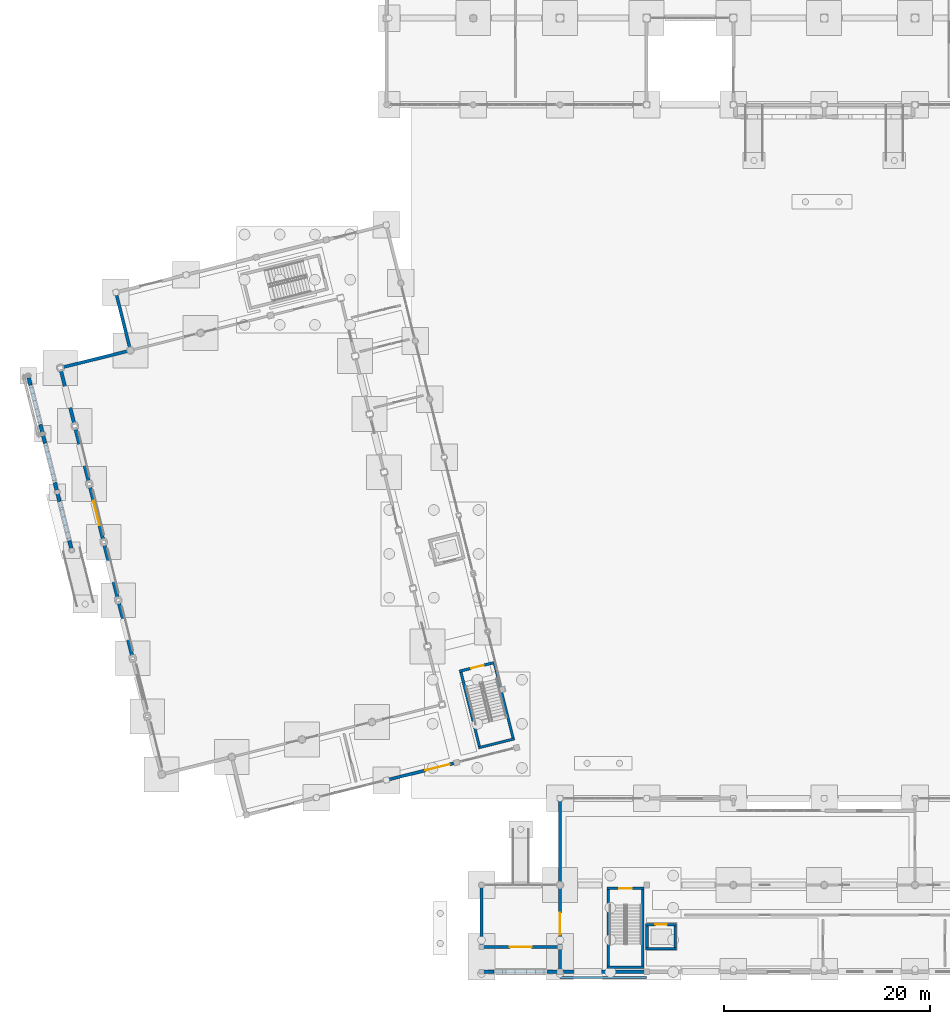
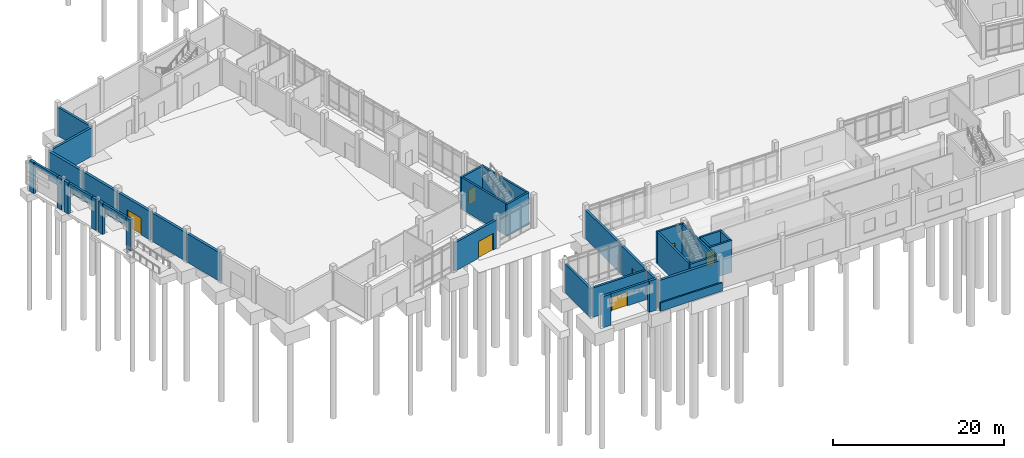
# One storey, part 42 of 72: 38 walls, 7 doors, 7 openings.
"""IFC4 building model written with IfcOpenShell, lengths in metres."""

from ifc_helpers import new_model, si_unit, direction, frame, frame_2d, origin, place, context, subcontext, project, spatial, rectangle, extrude, material, layer, layer_set, type_object, element, fill, save


model = new_model("IFC4")

# Units and contexts
model_context = context("Model", 3, precision=1e-05, world=origin(), true_north=direction((0.0, 1.0)))
body_context = subcontext(model_context, "Body", "Model", "MODEL_VIEW")
ifc_project = project(units=[si_unit("LENGTHUNIT", "METRE"), si_unit("AREAUNIT", "SQUARE_METRE"), si_unit("VOLUMEUNIT", "CUBIC_METRE"), si_unit("PLANEANGLEUNIT", "RADIAN"), si_unit("MASSUNIT", "GRAM", prefix="KILO")], contexts=[model_context])

# Site, building, storey
site_placement = place(None, origin())
site = spatial("IfcSite", under=ifc_project, at=site_placement, CompositionType="ELEMENT")
building_placement = place(site_placement, origin())
building = spatial("IfcBuilding", under=site, at=building_placement, Name="Cinderway Yard Community Centre", CompositionType="ELEMENT")
storey_placement = place(building_placement, origin())
storey = spatial("IfcBuildingStorey", under=building, at=storey_placement, Name="L00", CompositionType="ELEMENT", Elevation=0.0)

# Walls
ifc_material_1 = material(Name="Brick Masonry", Category="masonry")
ifc_layer_1 = layer(ifc_material_1, 0.360107421875, Name="Brick Masonry")
ifc_layer_set_1 = layer_set([ifc_layer_1], Name="Brick Masonry")
wall_type_1 = type_object("IfcWallType", Name="ENV-WAL-ARCH360", PredefinedType="SOLIDWALL", material=ifc_layer_set_1)
wall_1_placement = place(storey_placement, frame((50.97998046875, 6.0, 0.0), z_axis=(0.0, 0.0, 1.0), x_axis=(1.0, 0.0, 0.0)))
element("IfcWall", 1, at=wall_1_placement, inside=storey, type_object=wall_type_1, Name="West Storm Arcade Niche Pier 1A ENV-WAL-L00-0197", PredefinedType="SOLIDWALL", context=body_context, shape_type="SweptSolid", body=[
    extrude(rectangle(XDim=1.0361328125, YDim=0.360107421875, at=frame_2d((0.51806640625, 0.0))), origin(), (0.0, 0.0, 1.0), 4.449951171875),
])
wall_2_placement = place(storey_placement, frame((57.18408203125, 6.0, 0.0), z_axis=(0.0, 0.0, 1.0), x_axis=(1.0, 0.0, 0.0)))
element("IfcWall", 2, at=wall_2_placement, inside=storey, type_object=wall_type_1, Name="West Storm Arcade Niche Pier 1B ENV-WAL-L00-0198", PredefinedType="SOLIDWALL", context=body_context, shape_type="SweptSolid", body=[
    extrude(rectangle(XDim=1.035888671875, YDim=0.360107421875, at=frame_2d((0.51806640625, 0.0))), origin(), (0.0, 0.0, 1.0), 4.449951171875),
])
for number, where, z_axis, x_axis, name in (
    (3, (11.048095703125, 47.029052734375, 0.0), (0.0, 0.0, 1.0), (-0.241227936286, 0.970468486225, 0.0), "Main Hall Rail Forecourt South Arch Niche Pier 4A ENV-WAL-L00-0206"),
    (4, (9.9130859375, 51.5810546875, 0.0), (0.0, 0.0, 1.0), (-0.241227936286, 0.970468486225, 0.0), "Main Hall Rail Forecourt South Arch Niche Pier 4B ENV-WAL-L00-0207"),
):
    element("IfcWall", number, at=place(storey_placement, frame(where, z_axis=z_axis, x_axis=x_axis)), inside=storey, type_object=wall_type_1, Name=name, PredefinedType="SOLIDWALL", context=body_context, shape_type="SweptSolid", body=[
        extrude(rectangle(XDim=0.746826171875, YDim=0.360107421875, at=frame_2d((0.37353515625, 0.0))), origin(), (0.0, 0.0, 1.0), 4.449951171875),
    ])
for number, where, z_axis, x_axis, name in (
    (5, (9.64501953125, 52.656005859375, 0.0), (0.0, 0.0, 1.0), (-0.240843641641, 0.970563929003, 0.0), "Main Hall Rail Forecourt Central Arch Niche Pier 5A ENV-WAL-L00-0209"),
    (6, (8.510009765625, 57.208984375, 0.0), (0.0, 0.0, 1.0), (-0.240843641641, 0.970563929003, 0.0), "Main Hall Rail Forecourt Central Arch Niche Pier 5B ENV-WAL-L00-0210"),
):
    element("IfcWall", number, at=place(storey_placement, frame(where, z_axis=z_axis, x_axis=x_axis)), inside=storey, type_object=wall_type_1, Name=name, PredefinedType="SOLIDWALL", context=body_context, shape_type="SweptSolid", body=[
        extrude(rectangle(XDim=0.7470703125, YDim=0.360107421875, at=frame_2d((0.37353515625, 0.0))), origin(), (0.0, 0.0, 1.0), 4.449951171875),
    ])
for number, where, z_axis, x_axis, name in (
    (7, (8.241943359375, 58.283935546875, 0.0), (0.0, 0.0, 1.0), (-0.242074393736, 0.970257691491, 0.0), "Main Hall Rail Forecourt North Arch Niche Pier 6A ENV-WAL-L00-0212"),
    (8, (7.10693359375, 62.8369140625, 0.0), (0.0, 0.0, 1.0), (-0.242074393736, 0.970257691491, 0.0), "Main Hall Rail Forecourt North Arch Niche Pier 6B ENV-WAL-L00-0213"),
):
    element("IfcWall", number, at=place(storey_placement, frame(where, z_axis=z_axis, x_axis=x_axis)), inside=storey, type_object=wall_type_1, Name=name, PredefinedType="SOLIDWALL", context=body_context, shape_type="SweptSolid", body=[
        extrude(rectangle(XDim=0.747314453125, YDim=0.360107421875, at=frame_2d((0.37353515625, 0.0))), origin(), (0.0, 0.0, 1.0), 4.449951171875),
    ])
ifc_material_2 = material(Name="Concrete C35/45", Category="concrete")
ifc_layer_2 = layer(ifc_material_2, 0.280029296875, Name="Concrete C35/45")
ifc_layer_set_2 = layer_set([ifc_layer_2], Name="Concrete C35/45")
wall_type_2 = type_object("IfcWallType", Name="ENV-WAL-EXT280", PredefinedType="SOLIDWALL", material=ifc_layer_set_2)
wall_3_placement = place(storey_placement, frame((52.01611328125, 6.0, 3.949951171875), z_axis=(0.0, 0.0, 1.0), x_axis=(1.0, 0.0, 0.0)))
element("IfcWall", 9, at=wall_3_placement, inside=storey, type_object=wall_type_2, Name="West Storm Arcade Niche Spandrel 1 ENV-WAL-L00-0199", PredefinedType="SOLIDWALL", context=body_context, shape_type="SweptSolid", body=[
    extrude(rectangle(XDim=5.16796875, YDim=0.280029296875, at=frame_2d((2.583984375, 0.0))), origin(), (0.0, 0.0, 1.0), 0.5),
])
wall_4_placement = place(storey_placement, frame((10.867919921875, 47.75390625, 3.949951171875), z_axis=(0.0, 0.0, 1.0), x_axis=(-0.242069567534, 0.970258895591, 0.0)))
element("IfcWall", 10, at=wall_4_placement, inside=storey, type_object=wall_type_2, Name="Main Hall Rail Forecourt South Arch Niche Spandrel 4 ENV-WAL-L00-0208", PredefinedType="SOLIDWALL", context=body_context, shape_type="SweptSolid", body=[
    extrude(rectangle(XDim=3.944580078125, YDim=0.280029296875, at=frame_2d((1.97216796875, 0.0))), origin(), (0.0, 0.0, 1.0), 0.5),
])
wall_5_placement = place(storey_placement, frame((9.465087890625, 53.381103515625, 3.949951171875), z_axis=(0.0, 0.0, 1.0), x_axis=(-0.242084220772, 0.970255239642, 0.0)))
element("IfcWall", 11, at=wall_5_placement, inside=storey, type_object=wall_type_2, Name="Main Hall Rail Forecourt Central Arch Niche Spandrel 5 ENV-WAL-L00-0211", PredefinedType="SOLIDWALL", context=body_context, shape_type="SweptSolid", body=[
    extrude(rectangle(XDim=3.9453125, YDim=0.280029296875, at=frame_2d((1.97265625, 0.0))), origin(), (0.0, 0.0, 1.0), 0.5),
])
wall_6_placement = place(storey_placement, frame((8.06103515625, 59.009033203125, 3.949951171875), z_axis=(0.0, 0.0, 1.0), x_axis=(-0.241851176385, 0.970313355819, 0.0)))
element("IfcWall", 12, at=wall_6_placement, inside=storey, type_object=wall_type_2, Name="Main Hall Rail Forecourt North Arch Niche Spandrel 6 ENV-WAL-L00-0214", PredefinedType="SOLIDWALL", context=body_context, shape_type="SweptSolid", body=[
    extrude(rectangle(XDim=3.945068359375, YDim=0.280029296875, at=frame_2d((1.97265625, 0.0))), origin(), (0.0, 0.0, 1.0), 0.5),
])

# Wall, opening, door
wall_7_placement = place(storey_placement, frame((50.949951171875, 8.39990234375, 0.0), z_axis=(0.0, 0.0, 1.0), x_axis=(1.0, 0.0, 0.0)))
wall_7 = element("IfcWall", 13, at=wall_7_placement, inside=storey, type_object=wall_type_2, Name="West Arcade Inner Portal Wall ENV-WAL-L00-0229", PredefinedType="SOLIDWALL", context=body_context, shape_type="SweptSolid", body=[
    extrude(rectangle(XDim=7.300048828125, YDim=0.280029296875, at=frame_2d((3.64990234375, 0.0))), origin(), (0.0, 0.0, 1.0), 4.18701171875),
])
opening_1_placement = place(wall_7_placement, frame((2.60009765625, 0.0, 0.0)))
opening_1 = element("IfcOpeningElement", 14, at=opening_1_placement, cuts=wall_7, Name="Opening D-EX2", PredefinedType="OPENING", context=body_context, shape_type="SweptSolid", body=[
    extrude(rectangle(XDim=2.10009765625, YDim=2.35009765625, at=frame_2d((1.050048828125, 1.175048828125))), frame((0.0, 0.14990234375, 0.0), z_axis=(0.0, -1.0, 0.0), x_axis=(1.0, 0.0, 0.0)), (0.0, 0.0, 1.0), 0.300048828125),
])
ifc_material_3 = material(Name="Aluminium 6063-T6", Category="aluminium")
door_type_1 = type_object("IfcDoorType", Name="INT-DOR-EXT210", OperationType="DOUBLE_DOOR_SINGLE_SWING", PredefinedType="DOOR", material=ifc_material_3)
door_1_placement = place(opening_1_placement, origin())
door_1 = element("IfcDoor", 15, at=door_1_placement, inside=storey, type_object=door_type_1, Name="West Storm Arcade Portal EXT-DOR-L00-0081", OperationType="DOUBLE_DOOR_SINGLE_SWING", OverallHeight=2.35009765625, OverallWidth=2.10009765625, PredefinedType="DOOR", context=body_context, shape_type="SweptSolid", body=[
    extrude(rectangle(XDim=2.10009765625, YDim=2.35009765625, at=frame_2d((1.050048828125, 1.175048828125))), frame((0.0, 0.02490234375, 0.0), z_axis=(0.0, -1.0, 0.0), x_axis=(1.0, 0.0, 0.0)), (0.0, 0.0, 1.0), 0.050048828125),
])
fill(opening_1, door_1)

# Wall
wall_8_placement = place(storey_placement, frame((50.800048828125, 8.449951171875, 0.0), z_axis=(0.0, 0.0, 1.0), x_axis=(0.0, 1.0, 0.0)))
element("IfcWall", 16, at=wall_8_placement, inside=storey, type_object=wall_type_2, Name="West Arcade Side Wall W ENV-WAL-L00-0230", PredefinedType="SOLIDWALL", context=body_context, shape_type="SweptSolid", body=[
    extrude(rectangle(XDim=5.800048828125, YDim=0.280029296875, at=frame_2d((2.89990234375, 0.0))), origin(), (0.0, 0.0, 1.0), 4.135009765625),
])

# Wall, opening, door
ifc_layer_3 = layer(ifc_material_1, 0.300048828125, Name="Brick Masonry")
ifc_layer_set_3 = layer_set([ifc_layer_3], Name="Brick Masonry")
wall_type_3 = type_object("IfcWallType", Name="ENV-WAL-EXT300", PredefinedType="SOLIDWALL", material=ifc_layer_set_3)
wall_9_placement = place(storey_placement, frame((41.68603515625, 24.593994140625, 0.0), z_axis=(0.0, 0.0, 1.0), x_axis=(0.970296478685, 0.241918877831, 0.0)))
wall_9 = element("IfcWall", 17, at=wall_9_placement, inside=storey, type_object=wall_type_3, Name="Sanctuary South Brick Wall ENV-WAL-L00-0009", PredefinedType="SOLIDWALL", context=body_context, shape_type="SweptSolid", body=[
    extrude(rectangle(XDim=6.7998046875, YDim=0.300048828125, at=frame_2d((3.39990234375, 0.0))), origin(), (0.0, 0.0, 1.0), 4.06494140625),
])
opening_2_placement = place(wall_9_placement, frame((3.800048828125, 0.0, 0.0)))
opening_2 = element("IfcOpeningElement", 18, at=opening_2_placement, cuts=wall_9, Name="Opening D-EX1", PredefinedType="OPENING", context=body_context, shape_type="SweptSolid", body=[
    extrude(rectangle(XDim=2.39990234375, YDim=2.39990234375, at=frame_2d((1.199951171875, 1.199951171875))), frame((0.0, 0.159912109375, 0.0), z_axis=(0.0, -1.0, 0.0), x_axis=(1.0, 0.0, 0.0)), (0.0, 0.0, 1.0), 0.320068359375),
])
door_type_2 = type_object("IfcDoorType", Name="INT-DOR-EXT240", OperationType="DOUBLE_DOOR_SINGLE_SWING", PredefinedType="DOOR", material=ifc_material_3)
door_2_placement = place(opening_2_placement, origin())
door_2 = element("IfcDoor", 19, at=door_2_placement, inside=storey, type_object=door_type_2, Name="Main Hall Lobby Exit EXT-DOR-L00-0063", OperationType="DOUBLE_DOOR_SINGLE_SWING", OverallHeight=2.39990234375, OverallWidth=2.39990234375, PredefinedType="DOOR", context=body_context, shape_type="SweptSolid", body=[
    extrude(rectangle(XDim=2.39990234375, YDim=2.39990234375, at=frame_2d((1.199951171875, 1.199951171875))), frame((0.0, 0.02490234375, 0.0), z_axis=(0.0, -1.0, 0.0), x_axis=(1.0, 0.0, 0.0)), (0.0, 0.0, 1.0), 0.050048828125),
])
fill(opening_2, door_2)

# Walls
wall_10_placement = place(storey_placement, frame((10.06494140625, 64.530029296875, 0.0), z_axis=(0.0, 0.0, 1.0), x_axis=(0.97027883487, 0.241989633258, 0.0)))
element("IfcWall", 20, at=wall_10_placement, inside=storey, type_object=wall_type_3, Name="Main Hall NW Return ENV-WAL-L00-0012", PredefinedType="SOLIDWALL", context=body_context, shape_type="SweptSolid", body=[
    extrude(rectangle(XDim=6.83935546875, YDim=0.300048828125, at=frame_2d((3.419677734375, 0.0))), origin(), (0.0, 0.0, 1.0), 4.0849609375),
])
wall_11_placement = place(storey_placement, frame((16.760009765625, 66.281982421875, 0.0), z_axis=(0.0, 0.0, 1.0), x_axis=(-0.242036480393, 0.970267149892, 0.0)))
element("IfcWall", 21, at=wall_11_placement, inside=storey, type_object=wall_type_3, Name="Stage West Wall ENV-WAL-L00-0013", PredefinedType="SOLIDWALL", context=body_context, shape_type="SweptSolid", body=[
    extrude(rectangle(XDim=5.6396484375, YDim=0.300048828125, at=frame_2d((2.81982421875, 0.0))), origin(), (0.0, 0.0, 1.0), 4.094970703125),
])

# Wall, opening, door
wall_12_placement = place(storey_placement, frame((58.39990234375, 6.10009765625, 0.0), z_axis=(0.0, 0.0, 1.0), x_axis=(0.0, 1.0, 0.0)))
wall_12 = element("IfcWall", 22, at=wall_12_placement, inside=storey, type_object=wall_type_3, Name="V3 West End Wall ENV-WAL-L00-0103", PredefinedType="SOLIDWALL", context=body_context, shape_type="SweptSolid", body=[
    extrude(rectangle(XDim=8.199951171875, YDim=0.300048828125, at=frame_2d((4.10009765625, 0.0))), origin(), (0.0, 0.0, 1.0), 4.094970703125),
])
opening_3_placement = place(wall_12_placement, frame((3.5, 0.0, 0.0)))
opening_3 = element("IfcOpeningElement", 23, at=opening_3_placement, cuts=wall_12, Name="Opening D-EX2", PredefinedType="OPENING", context=body_context, shape_type="SweptSolid", body=[
    extrude(rectangle(XDim=2.10009765625, YDim=2.35009765625, at=frame_2d((1.050048828125, 1.175048828125))), frame((0.0, 0.159912109375, 0.0), z_axis=(0.0, -1.0, 0.0), x_axis=(1.0, 0.0, 0.0)), (0.0, 0.0, 1.0), 0.320068359375),
])
door_3_placement = place(opening_3_placement, origin())
door_3 = element("IfcDoor", 24, at=door_3_placement, inside=storey, type_object=door_type_1, Name="Dining West Core Exit EXT-DOR-L00-0074", OperationType="DOUBLE_DOOR_SINGLE_SWING", OverallHeight=2.35009765625, OverallWidth=2.10009765625, PredefinedType="DOOR", context=body_context, shape_type="SweptSolid", body=[
    extrude(rectangle(XDim=2.10009765625, YDim=2.35009765625, at=frame_2d((1.050048828125, 1.175048828125))), frame((0.0, 0.02490234375, 0.0), z_axis=(0.0, -1.0, 0.0), x_axis=(1.0, 0.0, 0.0)), (0.0, 0.0, 1.0), 0.050048828125),
])
fill(opening_3, door_3)

# Walls
wall_13_placement = place(storey_placement, frame((58.39990234375, 14.5, 0.0), z_axis=(0.0, 0.0, 1.0), x_axis=(0.0, 1.0, 0.0)))
element("IfcWall", 25, at=wall_13_placement, inside=storey, type_object=wall_type_3, Name="V3 West End Wall ENV-WAL-L00-0104", PredefinedType="SOLIDWALL", context=body_context, shape_type="SweptSolid", body=[
    extrude(rectangle(XDim=8.199951171875, YDim=0.300048828125, at=frame_2d((4.10009765625, 0.0))), origin(), (0.0, 0.0, 1.0), 4.094970703125),
])
ifc_layer_4 = layer(ifc_material_1, 0.340087890625, Name="Brick Masonry")
ifc_layer_set_4 = layer_set([ifc_layer_4], Name="Brick Masonry")
wall_type_4 = type_object("IfcWallType", Name="ENV-WAL-EXT340", PredefinedType="SOLIDWALL", material=ifc_layer_set_4)
for number, where, z_axis, x_axis, name in (
    (26, (16.97900390625, 36.468994140625, 0.0), (0.0, 0.0, 1.0), (-0.241940664393, 0.970291046497, 0.0), "Main Hall West Brick Wall ENV-WAL-L00-0003"),
    (27, (15.575927734375, 42.096923828125, 0.0), (0.0, 0.0, 1.0), (-0.241940664393, 0.970291046497, 0.0), "Main Hall West Brick Wall ENV-WAL-L00-0004"),
):
    element("IfcWall", number, at=place(storey_placement, frame(where, z_axis=z_axis, x_axis=x_axis)), inside=storey, type_object=wall_type_4, Name=name, PredefinedType="SOLIDWALL", context=body_context, shape_type="SweptSolid", body=[
        extrude(rectangle(XDim=5.6005859375, YDim=0.340087890625, at=frame_2d((2.80029296875, 0.0))), origin(), (0.0, 0.0, 1.0), 4.0849609375),
    ])

# Wall, opening, door
wall_14_placement = place(storey_placement, frame((14.173095703125, 47.72509765625, 0.0), z_axis=(0.0, 0.0, 1.0), x_axis=(-0.241991842685, 0.970278283831, 0.0)))
wall_14 = element("IfcWall", 28, at=wall_14_placement, inside=storey, type_object=wall_type_4, Name="Main Hall West Brick Wall ENV-WAL-L00-0005", PredefinedType="SOLIDWALL", context=body_context, shape_type="SweptSolid", body=[
    extrude(rectangle(XDim=5.599365234375, YDim=0.340087890625, at=frame_2d((2.7998046875, 0.0))), origin(), (0.0, 0.0, 1.0), 4.0849609375),
])
opening_4_placement = place(wall_14_placement, frame((1.60009765625, 0.0, 0.0)))
opening_4 = element("IfcOpeningElement", 29, at=opening_4_placement, cuts=wall_14, Name="Opening D-EX1", PredefinedType="OPENING", context=body_context, shape_type="SweptSolid", body=[
    extrude(rectangle(XDim=2.39990234375, YDim=2.39990234375, at=frame_2d((1.199951171875, 1.199951171875))), frame((0.0, 0.179931640625, 0.0), z_axis=(0.0, -1.0, 0.0), x_axis=(1.0, 0.0, 0.0)), (0.0, 0.0, 1.0), 0.360107421875),
])
door_4_placement = place(opening_4_placement, origin())
door_4 = element("IfcDoor", 30, at=door_4_placement, inside=storey, type_object=door_type_2, Name="Main Hall West Exit B EXT-DOR-L00-0065", OperationType="DOUBLE_DOOR_SINGLE_SWING", OverallHeight=2.39990234375, OverallWidth=2.39990234375, PredefinedType="DOOR", context=body_context, shape_type="SweptSolid", body=[
    extrude(rectangle(XDim=2.39990234375, YDim=2.39990234375, at=frame_2d((1.199951171875, 1.199951171875))), frame((0.0, 0.02490234375, 0.0), z_axis=(0.0, -1.0, 0.0), x_axis=(1.0, 0.0, 0.0)), (0.0, 0.0, 1.0), 0.050048828125),
])
fill(opening_4, door_4)

# Walls
for number, where, z_axis, x_axis, name in (
    (31, (12.77001953125, 53.35205078125, 0.0), (0.0, 0.0, 1.0), (-0.241950898373, 0.970288494612, 0.0), "Main Hall West Brick Wall ENV-WAL-L00-0006"),
    (32, (11.365966796875, 58.97998046875, 0.0), (0.0, 0.0, 1.0), (-0.24177648925, 0.970331968579, 0.0), "Main Hall West Brick Wall ENV-WAL-L00-0007"),
):
    element("IfcWall", number, at=place(storey_placement, frame(where, z_axis=z_axis, x_axis=x_axis)), inside=storey, type_object=wall_type_4, Name=name, PredefinedType="SOLIDWALL", context=body_context, shape_type="SweptSolid", body=[
        extrude(rectangle(XDim=5.600341796875, YDim=0.340087890625, at=frame_2d((2.80029296875, 0.0))), origin(), (0.0, 0.0, 1.0), 4.0849609375),
    ])
wall_15_placement = place(storey_placement, frame((58.5, 6.0, 0.0), z_axis=(0.0, 0.0, 1.0), x_axis=(1.0, 0.0, 0.0)))
element("IfcWall", 33, at=wall_15_placement, inside=storey, type_object=wall_type_4, Name="Dining South Brick Wall ENV-WAL-L00-0092", PredefinedType="SOLIDWALL", context=body_context, shape_type="SweptSolid", body=[
    extrude(rectangle(XDim=8.199951171875, YDim=0.340087890625, at=frame_2d((4.10009765625, 0.0))), origin(), (0.0, 0.0, 1.0), 4.06494140625),
])
ifc_layer_5 = layer(ifc_material_2, 0.199951171875, Name="Concrete C35/45")
ifc_layer_set_5 = layer_set([ifc_layer_5], Name="Concrete C35/45")
wall_type_5 = type_object("IfcWallType", Name="ENV-WAL-PAR200", PredefinedType="PARAPET", material=ifc_layer_set_5)
wall_16_placement = place(storey_placement, frame((58.39990234375, 5.449951171875, 0.0), z_axis=(0.0, 0.0, 1.0), x_axis=(1.0, 0.0, 0.0)))
element("IfcWall", 34, at=wall_16_placement, inside=storey, type_object=wall_type_5, Name="Roof parapet upstand ENV-WAL-L00-0251", PredefinedType="PARAPET", context=body_context, shape_type="SweptSolid", body=[
    extrude(rectangle(XDim=8.400146484375, YDim=0.199951171875, at=frame_2d((4.2001953125, 0.0))), origin(), (0.0, 0.0, 1.0), 1.199951171875),
])

# Wall, opening, door
ifc_material_4 = material(Name="Concrete C40/50", Category="concrete")
ifc_layer_6 = layer(ifc_material_4, 0.25, Name="Concrete C40/50")
ifc_layer_set_6 = layer_set([ifc_layer_6], Name="Concrete C40/50")
wall_type_6 = type_object("IfcWallType", Name="INT-WAL-SHR250", PredefinedType="SHEAR", material=ifc_layer_set_6)
wall_17_placement = place(storey_placement, frame((48.653076171875, 35.112060546875, 0.0), z_axis=(0.0, 0.0, 1.0), x_axis=(0.97025377679, 0.242090083699, 0.0)))
wall_17 = element("IfcWall", 35, at=wall_17_placement, inside=storey, type_object=wall_type_6, Name="Stair ST-05 Entry Wall INT-WAL-L00-0125", PredefinedType="SHEAR", context=body_context, shape_type="SweptSolid", body=[
    extrude(rectangle(XDim=3.6103515625, YDim=0.25, at=frame_2d((1.80517578125, 0.0))), origin(), (0.0, 0.0, 1.0), 4.56005859375),
])
opening_5_placement = place(wall_17_placement, frame((1.205078125, 0.0, 0.0)))
opening_5 = element("IfcOpeningElement", 36, at=opening_5_placement, cuts=wall_17, Name="Opening D-ST1", PredefinedType="OPENING", context=body_context, shape_type="SweptSolid", body=[
    extrude(rectangle(XDim=1.199951171875, YDim=2.14990234375, at=frame_2d((0.60009765625, 1.074951171875))), frame((0.0, 0.135009765625, 0.0), z_axis=(0.0, -1.0, 0.0), x_axis=(1.0, 0.0, 0.0)), (0.0, 0.0, 1.0), 0.27001953125),
])
ifc_material_5 = material(Name="Painted Galvanised Steel", Category="steel")
door_type_3 = type_object("IfcDoorType", Name="INT-DOR-ST120", OperationType="NOTDEFINED", PredefinedType="DOOR", material=ifc_material_5)
door_5_placement = place(opening_5_placement, origin())
door_5 = element("IfcDoor", 37, at=door_5_placement, inside=storey, type_object=door_type_3, Name="Core door INT-DOR-L00-0035", OperationType="SINGLE_SWING_LEFT", OverallHeight=2.14990234375, OverallWidth=1.199951171875, PredefinedType="DOOR", context=body_context, shape_type="SweptSolid", body=[
    extrude(rectangle(XDim=1.199951171875, YDim=2.14990234375, at=frame_2d((0.60009765625, 1.074951171875))), frame((0.0, 0.02490234375, 0.0), z_axis=(0.0, -1.0, 0.0), x_axis=(1.0, 0.0, 0.0)), (0.0, 0.0, 1.0), 0.050048828125),
])
fill(opening_5, door_5)

# Walls
wall_18_placement = place(storey_placement, frame((54.00390625, 28.572021484375, 0.0), z_axis=(0.0, 0.0, 1.0), x_axis=(-0.970301456204, -0.241898912952, 0.0)))
element("IfcWall", 38, at=wall_18_placement, inside=storey, type_object=wall_type_6, Name="Stair ST-05 Back Wall INT-WAL-L00-0126", PredefinedType="SHEAR", context=body_context, shape_type="SweptSolid", body=[
    extrude(rectangle(XDim=3.609130859375, YDim=0.25, at=frame_2d((1.8046875, 0.0))), origin(), (0.0, 0.0, 1.0), 4.56005859375),
])
wall_19_placement = place(storey_placement, frame((52.06494140625, 35.833984375, 0.0), z_axis=(0.0, 0.0, 1.0), x_axis=(0.241944845077, -0.97029000404, 0.0)))
element("IfcWall", 39, at=wall_19_placement, inside=storey, type_object=wall_type_6, Name="Stair ST-05 Side Wall L INT-WAL-L00-0127", PredefinedType="SHEAR", context=body_context, shape_type="SweptSolid", body=[
    extrude(rectangle(XDim=7.390380859375, YDim=0.25, at=frame_2d((3.6953125, 0.0))), origin(), (0.0, 0.0, 1.0), 4.56005859375),
])
wall_20_placement = place(storey_placement, frame((50.593017578125, 27.85107421875, 0.0), z_axis=(0.0, 0.0, 1.0), x_axis=(-0.241975869228, 0.970282267544, 0.0)))
element("IfcWall", 40, at=wall_20_placement, inside=storey, type_object=wall_type_6, Name="Stair ST-05 Side Wall R INT-WAL-L00-0128", PredefinedType="SHEAR", context=body_context, shape_type="SweptSolid", body=[
    extrude(rectangle(XDim=7.389404296875, YDim=0.25, at=frame_2d((3.69482421875, 0.0))), origin(), (0.0, 0.0, 1.0), 4.56005859375),
])

# Wall, opening, door
wall_21_placement = place(storey_placement, frame((62.955078125, 14.070068359375, 0.0), z_axis=(0.0, 0.0, 1.0), x_axis=(1.0, 0.0, 0.0)))
wall_21 = element("IfcWall", 41, at=wall_21_placement, inside=storey, type_object=wall_type_6, Name="Stair ST-09 Entry Wall INT-WAL-L00-0197", PredefinedType="SHEAR", context=body_context, shape_type="SweptSolid", body=[
    extrude(rectangle(XDim=3.60986328125, YDim=0.25, at=frame_2d((1.804931640625, 0.0))), origin(), (0.0, 0.0, 1.0), 4.56005859375),
])
opening_6_placement = place(wall_21_placement, frame((1.205078125, 0.0, 0.0)))
opening_6 = element("IfcOpeningElement", 42, at=opening_6_placement, cuts=wall_21, Name="Opening D-ST1", PredefinedType="OPENING", context=body_context, shape_type="SweptSolid", body=[
    extrude(rectangle(XDim=1.199951171875, YDim=2.14990234375, at=frame_2d((0.60009765625, 1.074951171875))), frame((0.0, 0.135009765625, 0.0), z_axis=(0.0, -1.0, 0.0), x_axis=(1.0, 0.0, 0.0)), (0.0, 0.0, 1.0), 0.27001953125),
])
door_6_placement = place(opening_6_placement, origin())
door_6 = element("IfcDoor", 43, at=door_6_placement, inside=storey, type_object=door_type_3, Name="Core door INT-DOR-L00-0053", OperationType="SINGLE_SWING_LEFT", OverallHeight=2.14990234375, OverallWidth=1.199951171875, PredefinedType="DOOR", context=body_context, shape_type="SweptSolid", body=[
    extrude(rectangle(XDim=1.199951171875, YDim=2.14990234375, at=frame_2d((0.60009765625, 1.074951171875))), frame((0.0, 0.02490234375, 0.0), z_axis=(0.0, -1.0, 0.0), x_axis=(1.0, 0.0, 0.0)), (0.0, 0.0, 1.0), 0.050048828125),
])
fill(opening_6, door_6)

# Walls
wall_22_placement = place(storey_placement, frame((66.56494140625, 6.429931640625, 0.0), z_axis=(0.0, 0.0, 1.0), x_axis=(-1.0, 0.0, 0.0)))
element("IfcWall", 44, at=wall_22_placement, inside=storey, type_object=wall_type_6, Name="Stair ST-09 Back Wall INT-WAL-L00-0198", PredefinedType="SHEAR", context=body_context, shape_type="SweptSolid", body=[
    extrude(rectangle(XDim=3.60986328125, YDim=0.25, at=frame_2d((1.804931640625, 0.0))), origin(), (0.0, 0.0, 1.0), 4.56005859375),
])
for number, where, z_axis, x_axis, name in (
    (45, (66.43994140625, 13.945068359375, 0.0), (0.0, 0.0, 1.0), (0.0, -1.0, 0.0), "Stair ST-09 Side Wall L INT-WAL-L00-0199"),
    (46, (63.080078125, 6.554931640625, 0.0), (0.0, 0.0, 1.0), (0.0, 1.0, 0.0), "Stair ST-09 Side Wall R INT-WAL-L00-0200"),
):
    element("IfcWall", number, at=place(storey_placement, frame(where, z_axis=z_axis, x_axis=x_axis)), inside=storey, type_object=wall_type_6, Name=name, PredefinedType="SHEAR", context=body_context, shape_type="SweptSolid", body=[
        extrude(rectangle(XDim=7.39013671875, YDim=0.25, at=frame_2d((3.695068359375, 0.0))), origin(), (0.0, 0.0, 1.0), 4.56005859375),
    ])
wall_23_placement = place(storey_placement, frame((66.699951171875, 8.22998046875, 0.0), z_axis=(0.0, 0.0, 1.0), x_axis=(1.0, 0.0, 0.0)))
element("IfcWall", 47, at=wall_23_placement, inside=storey, type_object=wall_type_6, Name="Lift LF-05 South Wall INT-WAL-L00-0209", PredefinedType="SHEAR", context=body_context, shape_type="SweptSolid", body=[
    extrude(rectangle(XDim=3.0, YDim=0.25, at=frame_2d((1.5, 0.0))), origin(), (0.0, 0.0, 1.0), 4.56005859375),
])

# Wall, opening, door
wall_24_placement = place(storey_placement, frame((69.699951171875, 10.570068359375, 0.0), z_axis=(0.0, 0.0, 1.0), x_axis=(-1.0, 0.0, 0.0)))
wall_24 = element("IfcWall", 48, at=wall_24_placement, inside=storey, type_object=wall_type_6, Name="Lift LF-05 North Wall INT-WAL-L00-0210", PredefinedType="SHEAR", context=body_context, shape_type="SweptSolid", body=[
    extrude(rectangle(XDim=3.0, YDim=0.25, at=frame_2d((1.5, 0.0))), origin(), (0.0, 0.0, 1.0), 4.56005859375),
])
opening_7_placement = place(wall_24_placement, frame((0.949951171875, 0.0, 0.0)))
opening_7 = element("IfcOpeningElement", 49, at=opening_7_placement, cuts=wall_24, Name="Opening LD-01", PredefinedType="OPENING", context=body_context, shape_type="SweptSolid", body=[
    extrude(rectangle(XDim=1.10009765625, YDim=2.14990234375, at=frame_2d((0.550048828125, 1.074951171875))), frame((0.0, 0.135009765625, 0.0), z_axis=(0.0, -1.0, 0.0), x_axis=(1.0, 0.0, 0.0)), (0.0, 0.0, 1.0), 0.27001953125),
])
door_type_4 = type_object("IfcDoorType", Name="INT-DOR-LD01", OperationType="SLIDING_TO_LEFT", PredefinedType="DOOR", material=ifc_material_5)
door_7_placement = place(opening_7_placement, origin())
door_7 = element("IfcDoor", 50, at=door_7_placement, inside=storey, type_object=door_type_4, Name="Lift landing door INT-DOR-L00-0056", OperationType="SLIDING_TO_LEFT", OverallHeight=2.14990234375, OverallWidth=1.10009765625, PredefinedType="DOOR", context=body_context, shape_type="SweptSolid", body=[
    extrude(rectangle(XDim=1.10009765625, YDim=2.14990234375, at=frame_2d((0.550048828125, 1.074951171875))), frame((0.0, 0.02490234375, 0.0), z_axis=(0.0, -1.0, 0.0), x_axis=(1.0, 0.0, 0.0)), (0.0, 0.0, 1.0), 0.050048828125),
])
fill(opening_7, door_7)

# Walls
for number, where, z_axis, x_axis, name in (
    (51, (69.570068359375, 8.360107421875, 0.0), (0.0, 0.0, 1.0), (0.0, 1.0, 0.0), "Lift LF-05 East Wall INT-WAL-L00-0211"),
    (52, (66.830078125, 10.43994140625, 0.0), (0.0, 0.0, 1.0), (0.0, -1.0, 0.0), "Lift LF-05 West Wall INT-WAL-L00-0212"),
):
    element("IfcWall", number, at=place(storey_placement, frame(where, z_axis=z_axis, x_axis=x_axis)), inside=storey, type_object=wall_type_6, Name=name, PredefinedType="SHEAR", context=body_context, shape_type="SweptSolid", body=[
        extrude(rectangle(XDim=2.079833984375, YDim=0.25, at=frame_2d((1.0400390625, 0.0))), origin(), (0.0, 0.0, 1.0), 4.56005859375),
    ])

save(model, "model.ifc")
